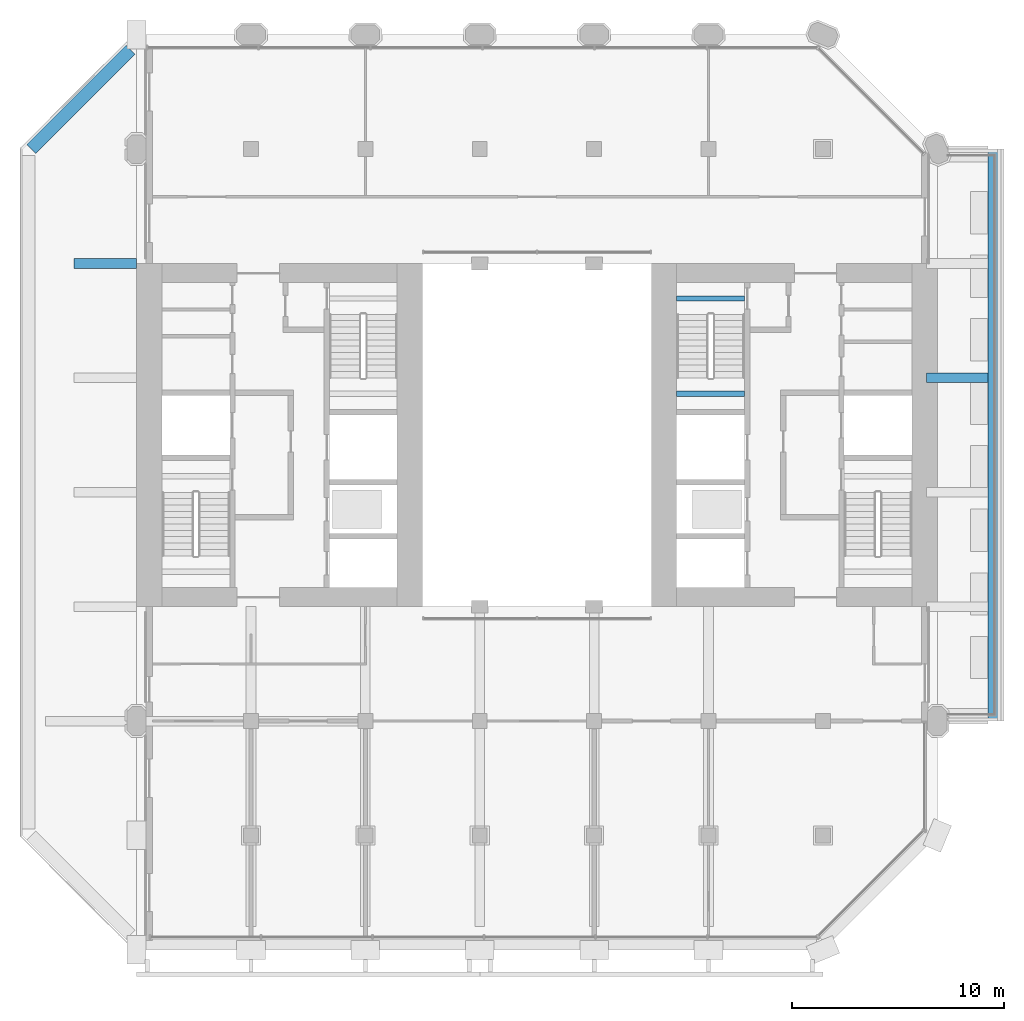
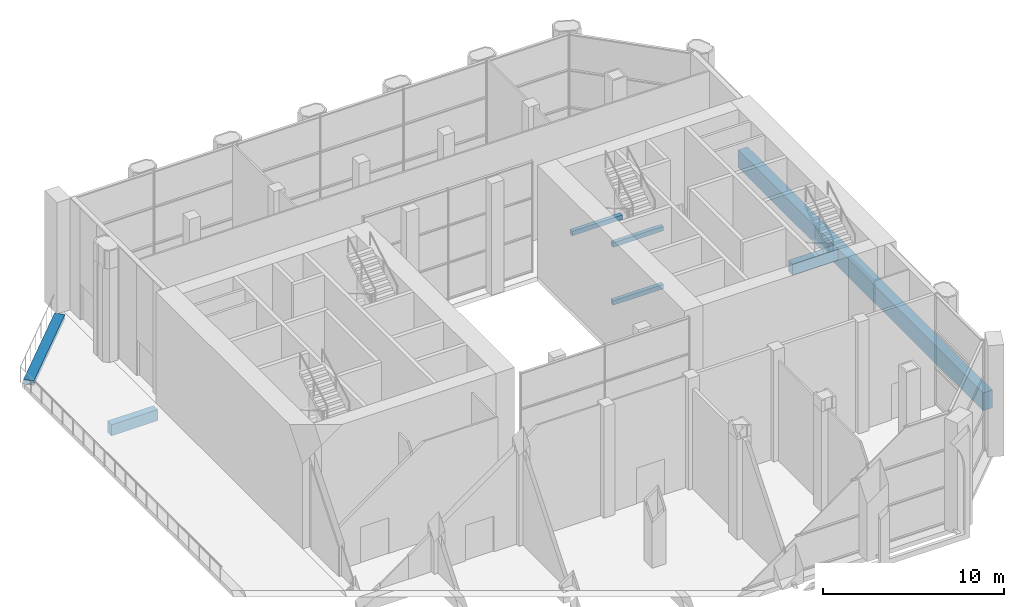
# One storey, part 5 of 20: 7 beams.
"""IFC4 building model written with IfcOpenShell, lengths in metres."""

from ifc_helpers import new_model, si_unit, direction, frame, origin, origin_2d, place, context, subcontext, project, spatial, rectangle, extrude, material, material_profile, profile_set, type_object, element, save


model = new_model("IFC4")

# Units and contexts
model_context = context("Model", 3, precision=1e-05, world=origin(), true_north=direction((0.0, 1.0)))
body_context = subcontext(model_context, "Body", "Model", "MODEL_VIEW")
ifc_project = project(units=[si_unit("LENGTHUNIT", "METRE"), si_unit("AREAUNIT", "SQUARE_METRE"), si_unit("VOLUMEUNIT", "CUBIC_METRE"), si_unit("PLANEANGLEUNIT", "RADIAN"), si_unit("MASSUNIT", "GRAM", prefix="KILO")], contexts=[model_context])

# Site, building, storey
site_placement = place(None, origin())
site = spatial("IfcSite", under=ifc_project, at=site_placement, CompositionType="ELEMENT")
building_placement = place(site_placement, origin())
building = spatial("IfcBuilding", under=site, at=building_placement, Name="Tabaq Tower and Sports Hall", CompositionType="ELEMENT")
storey_placement = place(building_placement, frame((0.0, 0.0, 243.10009765625)))
storey = spatial("IfcBuildingStorey", under=building, at=storey_placement, Name="L60", CompositionType="ELEMENT", Elevation=243.10009765625)

# Beams
ifc_material_1 = material(Name="Concrete C40/50", Category="concrete")
ifc_material_profile_1 = material_profile(ifc_material_1, rectangle(XDim=0.60009765625, YDim=1.199951171875, at=origin_2d()), Name="EBT 600x1200")
ifc_profile_set_1 = profile_set([ifc_material_profile_1], Name="Concrete C40/50")
beam_type_1 = type_object("IfcBeamType", Name="Concrete C40/50 PT edge band EBT 600x1200", PredefinedType="BEAM", material=ifc_profile_set_1)
beam_1_placement = place(storey_placement, frame((45.89990234375, 10.800048828125, -0.900146484375), z_axis=(0.0, 1.0, 0.0), x_axis=(-1.0, 0.0, 0.0)))
element("IfcBeam", 1, at=beam_1_placement, inside=storey, type_object=beam_type_1, Name="Tray edge band L60", PredefinedType="BEAM", context=body_context, shape_type="SweptSolid", body=[
    extrude(rectangle(XDim=0.60009765625, YDim=1.199951171875, at=origin_2d()), origin(), (0.0, 0.0, 1.0), 27.0),
])
ifc_material_2 = material(Name="Concrete C40/50", Category="concrete")
ifc_material_profile_2 = material_profile(ifc_material_2, rectangle(XDim=0.449951171875, YDim=0.75, at=origin_2d()), Name="CB 450x750")
ifc_profile_set_2 = profile_set([ifc_material_profile_2], Name="Concrete C40/50")
beam_type_2 = type_object("IfcBeamType", Name="PT CANTILEVER BEAM CB 450x750 C40/50", PredefinedType="BEAM", material=ifc_profile_set_2)
beam_2_placement = place(storey_placement, frame((2.449951171875, 32.39990234375, -0.675048828125), z_axis=(1.0, 0.0, 0.0), x_axis=(0.0, 1.0, 0.0)))
element("IfcBeam", 2, at=beam_2_placement, inside=storey, type_object=beam_type_2, Name="Cantilever Beam L60 W6 span 1", PredefinedType="BEAM", context=body_context, shape_type="SweptSolid", body=[
    extrude(rectangle(XDim=0.449951171875, YDim=0.75, at=origin_2d()), origin(), (0.0, 0.0, 1.0), 2.949951171875),
])
beam_3_placement = place(storey_placement, frame((45.60009765625, 27.0, -0.675048828125), z_axis=(-1.0, 0.0, 0.0), x_axis=(0.0, -1.0, 0.0)))
element("IfcBeam", 3, at=beam_3_placement, inside=storey, type_object=beam_type_2, Name="Tray Cantilever Beam L60 T3 span 1", PredefinedType="BEAM", context=body_context, shape_type="SweptSolid", body=[
    extrude(rectangle(XDim=0.449951171875, YDim=0.75, at=origin_2d()), origin(), (0.0, 0.0, 1.0), 2.900146484375),
])
ifc_material_3 = material(Name="Concrete C40/50", Category="concrete")
ifc_material_profile_3 = material_profile(ifc_material_3, rectangle(XDim=0.60009765625, YDim=0.300048828125, at=origin_2d()), Name="EB 600x300")
ifc_profile_set_3 = profile_set([ifc_material_profile_3], Name="Concrete C40/50")
beam_type_3 = type_object("IfcBeamType", Name="PT EDGE BEAM EB 600x300 C40/50", PredefinedType="SPANDREL", material=ifc_profile_set_3)
beam_4_placement = place(storey_placement, frame((5.110107421875, 42.48583984375, -0.150146484375), z_axis=(-0.707106781187, -0.707106781187, 0.0), x_axis=(0.707106781187, -0.707106781187, 0.0)))
element("IfcBeam", 4, at=beam_4_placement, inside=storey, type_object=beam_type_3, Name="Edge Beam L60 5", PredefinedType="SPANDREL", context=body_context, shape_type="SweptSolid", body=[
    extrude(rectangle(XDim=0.60009765625, YDim=0.300048828125, at=origin_2d()), origin(), (0.0, 0.0, 1.0), 6.628173828125),
])
ifc_material_4 = material(Name="Concrete C40/50", Category="concrete")
ifc_material_profile_4 = material_profile(ifc_material_4, rectangle(XDim=0.25, YDim=0.300048828125, at=origin_2d()), Name="RC 250x300")
ifc_profile_set_4 = profile_set([ifc_material_profile_4], Name="Concrete C40/50")
beam_type_4 = type_object("IfcBeamType", Name="Stair landing beam 250x300", PredefinedType="BEAM", material=ifc_profile_set_4)
for number, where, z_axis, x_axis, name in (
    (5, (30.89990234375, 26.25, 1.599853515625), (1.0, 0.0, 0.0), (0.0, 1.0, 0.0), "L60 ST4 landing beam 1"),
    (6, (30.89990234375, 30.75, 3.5498046875), (1.0, 0.0, 0.0), (0.0, 1.0, 0.0), "L60 ST4 landing beam 2"),
    (7, (30.89990234375, 26.25, 5.5), (1.0, 0.0, 0.0), (0.0, 1.0, 0.0), "L60 ST4 landing beam 3"),
):
    element("IfcBeam", number, at=place(storey_placement, frame(where, z_axis=z_axis, x_axis=x_axis)), inside=storey, type_object=beam_type_4, Name=name, PredefinedType="BEAM", context=body_context, shape_type="SweptSolid", body=[
        extrude(rectangle(XDim=0.25, YDim=0.300048828125, at=origin_2d()), origin(), (0.0, 0.0, 1.0), 3.2001953125),
    ])

save(model, "model.ifc")
